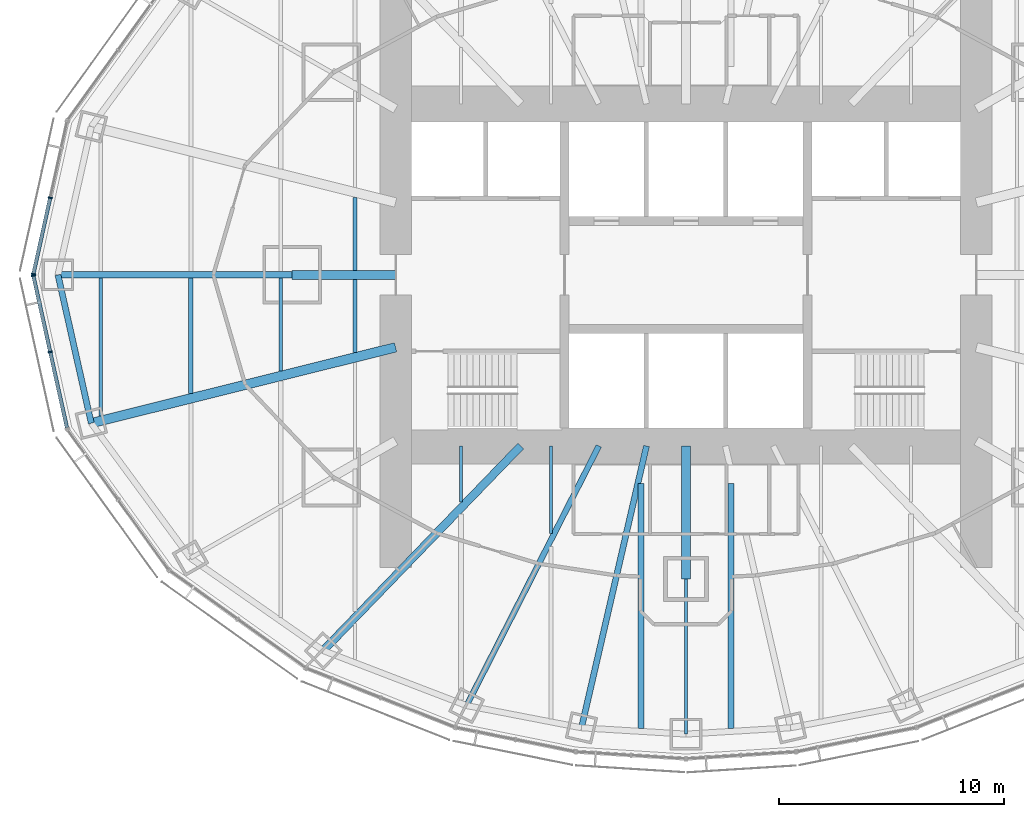
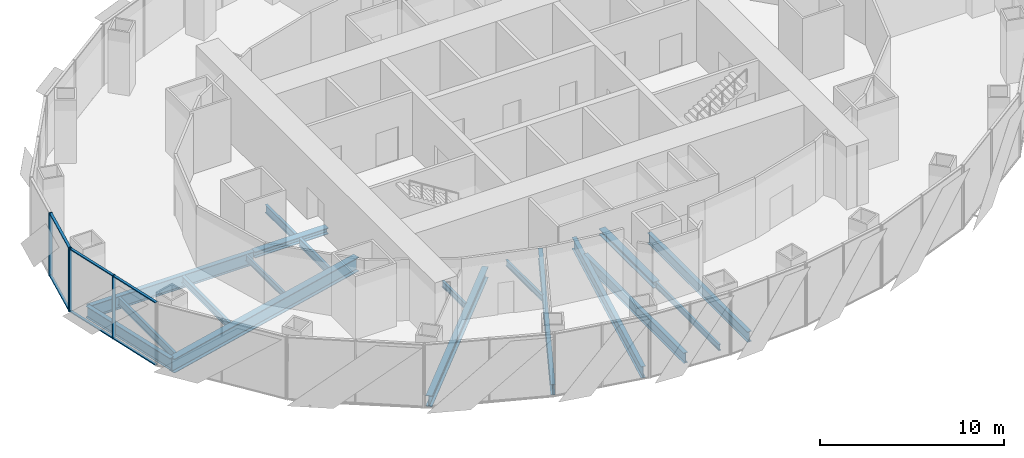
# One storey, part 3 of 18: 18 beams, 10 members, 2 elements without a shape of their own.
"""IFC4 building model written with IfcOpenShell, lengths in metres."""

from ifc_helpers import new_model, si_unit, direction, frame, origin, origin_2d, place, context, subcontext, project, spatial, rectangle, i_section, extrude, material, material_profile, profile_set, type_object, element, aggregate, save


model = new_model("IFC4")

# Units and contexts
model_context = context("Model", 3, precision=1e-05, world=origin(), true_north=direction((0.0, 1.0)))
body_context = subcontext(model_context, "Body", "Model", "MODEL_VIEW")
ifc_project = project(units=[si_unit("LENGTHUNIT", "METRE"), si_unit("AREAUNIT", "SQUARE_METRE"), si_unit("VOLUMEUNIT", "CUBIC_METRE"), si_unit("PLANEANGLEUNIT", "RADIAN"), si_unit("MASSUNIT", "GRAM", prefix="KILO")], contexts=[model_context])

# Site, building, storey
site_placement = place(None, origin())
site = spatial("IfcSite", under=ifc_project, at=site_placement, CompositionType="ELEMENT")
building_placement = place(site_placement, origin())
building = spatial("IfcBuilding", under=site, at=building_placement, Name="Lantaw Convention Tower", CompositionType="ELEMENT")
storey_placement = place(building_placement, frame((0.0, 0.0, 180.39990234375)))
storey = spatial("IfcBuildingStorey", under=building, at=storey_placement, Name="L42", CompositionType="ELEMENT", Elevation=180.39990234375)

# Beams
ifc_material_1 = material(Name="Steel ASTM A992", Category="steel")
ifc_material_profile_1 = material_profile(ifc_material_1, i_section(OverallWidth=0.2666015625, OverallDepth=0.76953125, WebThickness=0.015625, FlangeThickness=0.025390625, FilletRadius=0.0126953125, at=origin_2d()), Name="W30X132")
ifc_profile_set_1 = profile_set([ifc_material_profile_1], Name="Steel ASTM A992")
beam_type_1 = type_object("IfcBeamType", Name="Beam E W30X132", PredefinedType="SPANDREL", material=ifc_profile_set_1)
beam_1_placement = place(storey_placement, frame((-27.89990234375, 0.0, -0.53466796875), z_axis=(0.219211877447, -0.975677279015, 0.0), x_axis=(0.975677279015, 0.219211877447, 0.0)))
element("IfcBeam", 1, at=beam_1_placement, inside=storey, type_object=beam_type_1, Name="Edge beam 13", PredefinedType="SPANDREL", context=body_context, shape_type="SweptSolid", body=[
    extrude(i_section(OverallWidth=0.2666015625, OverallDepth=0.76953125, WebThickness=0.015625, FlangeThickness=0.025390625, FilletRadius=0.0126953125, at=origin_2d()), origin(), (0.0, 0.0, 1.0), 6.75146484375),
])
ifc_material_profile_2 = material_profile(ifc_material_1, i_section(OverallWidth=0.140380859375, OverallDepth=0.40380859375, WebThickness=0.007080078125, FlangeThickness=0.01123046875, FilletRadius=0.01025390625, at=origin_2d()), Name="W16X31")
ifc_profile_set_2 = profile_set([ifc_material_profile_2], Name="Steel ASTM A992")
beam_type_2 = type_object("IfcBeamType", Name="Beam G W16X31", PredefinedType="BEAM", material=ifc_profile_set_2)
beam_2_placement = place(storey_placement, frame((0.0, -13.5, -0.351806640625), z_axis=(0.0, -1.0, 0.0), x_axis=(1.0, 0.0, 0.0)))
element("IfcBeam", 2, at=beam_2_placement, inside=storey, type_object=beam_type_2, Name="Floor girder on ray 19", PredefinedType="BEAM", context=body_context, shape_type="SweptSolid", body=[
    extrude(i_section(OverallWidth=0.140380859375, OverallDepth=0.40380859375, WebThickness=0.007080078125, FlangeThickness=0.01123046875, FilletRadius=0.01025390625, at=origin_2d()), origin(), (0.0, 0.0, 1.0), 6.89990234375),
])
ifc_material_profile_3 = material_profile(ifc_material_1, i_section(OverallWidth=0.25390625, OverallDepth=0.700927734375, WebThickness=0.015380859375, FlangeThickness=0.02783203125, FilletRadius=0.01513671875, at=origin_2d()), Name="W27X129")
ifc_profile_set_3 = profile_set([ifc_material_profile_3], Name="Steel ASTM A992")
beam_type_3 = type_object("IfcBeamType", Name="Beam G W27X129", PredefinedType="BEAM", material=ifc_profile_set_3)
beam_3_placement = place(storey_placement, frame((-3.872314453125, -7.60009765625, -0.50048828125), z_axis=(-0.453991051051, -0.891006243281, 0.0), x_axis=(0.891006243281, -0.453991051051, 0.0)))
element("IfcBeam", 3, at=beam_3_placement, inside=storey, type_object=beam_type_3, Name="Floor girder on ray 17", PredefinedType="BEAM", context=body_context, shape_type="SweptSolid", body=[
    extrude(i_section(OverallWidth=0.25390625, OverallDepth=0.700927734375, WebThickness=0.015380859375, FlangeThickness=0.02783203125, FilletRadius=0.01513671875, at=origin_2d()), origin(), (0.0, 0.0, 1.0), 12.943359375),
])
ifc_material_profile_4 = material_profile(ifc_material_1, i_section(OverallWidth=0.360595703125, OverallDepth=0.72900390625, WebThickness=0.023193359375, FlangeThickness=0.041015625, FilletRadius=0.0126953125, at=origin_2d()), Name="W27X235")
ifc_profile_set_4 = profile_set([ifc_material_profile_4], Name="Steel ASTM A992")
beam_type_4 = type_object("IfcBeamType", Name="Beam G W27X235", PredefinedType="BEAM", material=ifc_profile_set_4)
beam_4_placement = place(storey_placement, frame((-7.33935546875, -7.60009765625, -0.514404296875), z_axis=(-0.694663467407, -0.719334878239, 0.0), x_axis=(0.719334878239, -0.694663467407, 0.0)))
element("IfcBeam", 4, at=beam_4_placement, inside=storey, type_object=beam_type_4, Name="Floor girder on ray 16", PredefinedType="BEAM", context=body_context, shape_type="SweptSolid", body=[
    extrude(i_section(OverallWidth=0.360595703125, OverallDepth=0.72900390625, WebThickness=0.023193359375, FlangeThickness=0.041015625, FilletRadius=0.0126953125, at=origin_2d()), origin(), (0.0, 0.0, 1.0), 12.63671875),
])
ifc_material_profile_5 = material_profile(ifc_material_1, i_section(OverallWidth=0.2666015625, OverallDepth=0.7568359375, WebThickness=0.013916015625, FlangeThickness=0.019287109375, FilletRadius=0.0126953125, at=origin_2d()), Name="W30X108")
ifc_profile_set_5 = profile_set([ifc_material_profile_5], Name="Steel ASTM A992")
beam_type_5 = type_object("IfcBeamType", Name="Beam G W30X108", PredefinedType="BEAM", material=ifc_profile_set_5)
beam_5_placement = place(storey_placement, frame((-1.754638671875, -7.60009765625, -0.5283203125), z_axis=(-0.224944153104, -0.974371658036, 0.0), x_axis=(0.974371658036, -0.224944153104, 0.0)))
element("IfcBeam", 5, at=beam_5_placement, inside=storey, type_object=beam_type_5, Name="Floor girder on ray 18", PredefinedType="BEAM", context=body_context, shape_type="SweptSolid", body=[
    extrude(i_section(OverallWidth=0.2666015625, OverallDepth=0.7568359375, WebThickness=0.013916015625, FlangeThickness=0.019287109375, FilletRadius=0.0126953125, at=origin_2d()), origin(), (0.0, 0.0, 1.0), 12.849365234375),
])
ifc_material_profile_6 = material_profile(ifc_material_1, i_section(OverallWidth=0.2919921875, OverallDepth=0.845703125, WebThickness=0.015380859375, FlangeThickness=0.0244140625, FilletRadius=0.01513671875, at=origin_2d()), Name="W33X141")
ifc_profile_set_6 = profile_set([ifc_material_profile_6], Name="Steel ASTM A992")
beam_type_6 = type_object("IfcBeamType", Name="Beam G W33X141", PredefinedType="BEAM", material=ifc_profile_set_6)
beam_6_placement = place(storey_placement, frame((-17.5, 0.0, -0.57275390625), z_axis=(-1.0, 0.0, 0.0), x_axis=(0.0, -1.0, 0.0)))
element("IfcBeam", 6, at=beam_6_placement, inside=storey, type_object=beam_type_6, Name="Floor girder on ray 13", PredefinedType="BEAM", context=body_context, shape_type="SweptSolid", body=[
    extrude(i_section(OverallWidth=0.2919921875, OverallDepth=0.845703125, WebThickness=0.015380859375, FlangeThickness=0.0244140625, FilletRadius=0.01513671875, at=origin_2d()), origin(), (0.0, 0.0, 1.0), 10.39990234375),
])
ifc_material_profile_7 = material_profile(ifc_material_1, i_section(OverallWidth=0.421630859375, OverallDepth=0.937255859375, WebThickness=0.0224609375, FlangeThickness=0.039794921875, FilletRadius=0.02001953125, at=origin_2d()), Name="W36X282")
ifc_profile_set_7 = profile_set([ifc_material_profile_7], Name="Steel ASTM A992")
beam_type_7 = type_object("IfcBeamType", Name="Beam G W36X282", PredefinedType="BEAM", material=ifc_profile_set_7)
beam_7_placement = place(storey_placement, frame((-12.89990234375, -3.21630859375, -0.61865234375), z_axis=(-0.970296903132, -0.24191717544, 0.0), x_axis=(0.24191717544, -0.970296903132, 0.0)))
element("IfcBeam", 7, at=beam_7_placement, inside=storey, type_object=beam_type_7, Name="Floor girder on ray 14", PredefinedType="BEAM", context=body_context, shape_type="SweptSolid", body=[
    extrude(i_section(OverallWidth=0.421630859375, OverallDepth=0.937255859375, WebThickness=0.0224609375, FlangeThickness=0.039794921875, FilletRadius=0.02001953125, at=origin_2d()), origin(), (0.0, 0.0, 1.0), 13.933837890625),
])
ifc_material_profile_8 = material_profile(ifc_material_1, i_section(OverallWidth=0.40380859375, OverallDepth=0.406494140625, WebThickness=0.027099609375, FlangeThickness=0.043701171875, FilletRadius=0.01513671875, at=origin_2d()), Name="W14X233")
ifc_profile_set_8 = profile_set([ifc_material_profile_8], Name="Steel ASTM A992")
beam_type_8 = type_object("IfcBeamType", Name="Beam GM W14X233", PredefinedType="BEAM", material=ifc_profile_set_8)
beam_8_placement = place(storey_placement, frame((-12.89990234375, 0.0, -0.35302734375), z_axis=(-1.0, 0.0, 0.0), x_axis=(0.0, -1.0, 0.0)))
element("IfcBeam", 8, at=beam_8_placement, inside=storey, type_object=beam_type_8, Name="Core link beam on ray 13", PredefinedType="BEAM", context=body_context, shape_type="SweptSolid", body=[
    extrude(i_section(OverallWidth=0.40380859375, OverallDepth=0.406494140625, WebThickness=0.027099609375, FlangeThickness=0.043701171875, FilletRadius=0.01513671875, at=origin_2d()), origin(), (0.0, 0.0, 1.0), 4.60009765625),
])
beam_9_placement = place(storey_placement, frame((0.0, -7.60009765625, -0.35302734375), z_axis=(0.0, -1.0, 0.0), x_axis=(1.0, 0.0, 0.0)))
element("IfcBeam", 9, at=beam_9_placement, inside=storey, type_object=beam_type_8, Name="Core link beam on ray 19", PredefinedType="BEAM", context=body_context, shape_type="SweptSolid", body=[
    extrude(i_section(OverallWidth=0.40380859375, OverallDepth=0.406494140625, WebThickness=0.027099609375, FlangeThickness=0.043701171875, FilletRadius=0.01513671875, at=origin_2d()), origin(), (0.0, 0.0, 1.0), 5.89990234375),
])
ifc_material_profile_9 = material_profile(ifc_material_1, i_section(OverallWidth=0.140380859375, OverallDepth=0.40380859375, WebThickness=0.007080078125, FlangeThickness=0.01123046875, FilletRadius=0.01025390625, at=origin_2d()), Name="W16X31")
ifc_profile_set_9 = profile_set([ifc_material_profile_9], Name="Steel ASTM A992")
beam_type_9 = type_object("IfcBeamType", Name="Beam J W16X31", PredefinedType="JOIST", material=ifc_profile_set_9)
beam_10_placement = place(storey_placement, frame((-18.0, -4.270751953125, -0.351806640625), z_axis=(0.0, 1.0, 0.0), x_axis=(-1.0, 0.0, 0.0)))
element("IfcBeam", 10, at=beam_10_placement, inside=storey, type_object=beam_type_9, Name="Floor joist", PredefinedType="JOIST", context=body_context, shape_type="SweptSolid", body=[
    extrude(i_section(OverallWidth=0.140380859375, OverallDepth=0.40380859375, WebThickness=0.007080078125, FlangeThickness=0.01123046875, FilletRadius=0.01025390625, at=origin_2d()), origin(), (0.0, 0.0, 1.0), 4.124755859375),
])
beam_11_placement = place(storey_placement, frame((-10.0, -10.095703125, -0.351806640625), z_axis=(0.0, 1.0, 0.0), x_axis=(-1.0, 0.0, 0.0)))
element("IfcBeam", 11, at=beam_11_placement, inside=storey, type_object=beam_type_9, Name="Floor joist", PredefinedType="JOIST", context=body_context, shape_type="SweptSolid", body=[
    extrude(i_section(OverallWidth=0.140380859375, OverallDepth=0.40380859375, WebThickness=0.007080078125, FlangeThickness=0.01123046875, FilletRadius=0.01025390625, at=origin_2d()), origin(), (0.0, 0.0, 1.0), 2.49560546875),
])
beam_12_placement = place(storey_placement, frame((-6.0, -11.495849609375, -0.351806640625), z_axis=(0.0, 1.0, 0.0), x_axis=(-1.0, 0.0, 0.0)))
element("IfcBeam", 12, at=beam_12_placement, inside=storey, type_object=beam_type_9, Name="Floor joist", PredefinedType="JOIST", context=body_context, shape_type="SweptSolid", body=[
    extrude(i_section(OverallWidth=0.140380859375, OverallDepth=0.40380859375, WebThickness=0.007080078125, FlangeThickness=0.01123046875, FilletRadius=0.01025390625, at=origin_2d()), origin(), (0.0, 0.0, 1.0), 3.895751953125),
])
ifc_material_profile_10 = material_profile(ifc_material_1, i_section(OverallWidth=0.1904296875, OverallDepth=0.457275390625, WebThickness=0.009033203125, FlangeThickness=0.014404296875, FilletRadius=0.01025390625, at=origin_2d()), Name="W18X50")
ifc_profile_set_10 = profile_set([ifc_material_profile_10], Name="Steel ASTM A992")
beam_type_10 = type_object("IfcBeamType", Name="Beam J W18X50", PredefinedType="JOIST", material=ifc_profile_set_10)
beam_13_placement = place(storey_placement, frame((-22.0, -5.267822265625, -0.37841796875), z_axis=(0.0, 1.0, 0.0), x_axis=(-1.0, 0.0, 0.0)))
element("IfcBeam", 13, at=beam_13_placement, inside=storey, type_object=beam_type_10, Name="Floor joist", PredefinedType="JOIST", context=body_context, shape_type="SweptSolid", body=[
    extrude(i_section(OverallWidth=0.1904296875, OverallDepth=0.457275390625, WebThickness=0.009033203125, FlangeThickness=0.014404296875, FilletRadius=0.01025390625, at=origin_2d()), origin(), (0.0, 0.0, 1.0), 5.121826171875),
])
ifc_material_profile_11 = material_profile(ifc_material_1, i_section(OverallWidth=0.1650390625, OverallDepth=0.52587890625, WebThickness=0.0087890625, FlangeThickness=0.011474609375, FilletRadius=0.0126953125, at=origin_2d()), Name="W21X44")
ifc_profile_set_11 = profile_set([ifc_material_profile_11], Name="Steel ASTM A992")
beam_type_11 = type_object("IfcBeamType", Name="Beam J W21X44", PredefinedType="JOIST", material=ifc_profile_set_11)
beam_14_placement = place(storey_placement, frame((-26.0, -6.26513671875, -0.412841796875), z_axis=(0.0, 1.0, 0.0), x_axis=(-1.0, 0.0, 0.0)))
element("IfcBeam", 14, at=beam_14_placement, inside=storey, type_object=beam_type_11, Name="Floor joist", PredefinedType="JOIST", context=body_context, shape_type="SweptSolid", body=[
    extrude(i_section(OverallWidth=0.1650390625, OverallDepth=0.52587890625, WebThickness=0.0087890625, FlangeThickness=0.011474609375, FilletRadius=0.0126953125, at=origin_2d()), origin(), (0.0, 0.0, 1.0), 6.119140625),
])
ifc_material_profile_12 = material_profile(ifc_material_1, i_section(OverallWidth=0.165771484375, OverallDepth=0.5283203125, WebThickness=0.009765625, FlangeThickness=0.013671875, FilletRadius=0.012939453125, at=origin_2d()), Name="W21X50")
ifc_profile_set_12 = profile_set([ifc_material_profile_12], Name="Steel ASTM A992")
beam_type_12 = type_object("IfcBeamType", Name="Beam J W21X50", PredefinedType="JOIST", material=ifc_profile_set_12)
for number, where, z_axis, x_axis, name in (
    (15, (-14.699951171875, -3.44775390625, -0.4140625), (0.0, 1.0, 0.0), (-1.0, 0.0, 0.0), "Floor joist"),
    (16, (-14.699951171875, 0.201904296875, -0.4140625), (0.0, 1.0, 0.0), (-1.0, 0.0, 0.0), "Floor joist"),
):
    element("IfcBeam", number, at=place(storey_placement, frame(where, z_axis=z_axis, x_axis=x_axis)), inside=storey, type_object=beam_type_12, Name=name, PredefinedType="JOIST", context=body_context, shape_type="SweptSolid", body=[
        extrude(i_section(OverallWidth=0.165771484375, OverallDepth=0.5283203125, WebThickness=0.009765625, FlangeThickness=0.013671875, FilletRadius=0.012939453125, at=origin_2d()), origin(), (0.0, 0.0, 1.0), 3.245849609375),
    ])
ifc_material_profile_13 = material_profile(ifc_material_1, i_section(OverallWidth=0.25390625, OverallDepth=0.683349609375, WebThickness=0.012451171875, FlangeThickness=0.01904296875, FilletRadius=0.01513671875, at=origin_2d()), Name="W27X94")
ifc_profile_set_13 = profile_set([ifc_material_profile_13], Name="Steel ASTM A992")
beam_type_13 = type_object("IfcBeamType", Name="Beam J W27X94", PredefinedType="JOIST", material=ifc_profile_set_13)
for number, where, z_axis, x_axis, name in (
    (17, (-2.0, -20.145751953125, -0.491455078125), (0.0, 1.0, 0.0), (-1.0, 0.0, 0.0), "Floor joist"),
    (18, (2.0, -20.145751953125, -0.491455078125), (0.0, 1.0, 0.0), (-1.0, 0.0, 0.0), "Floor joist"),
):
    element("IfcBeam", number, at=place(storey_placement, frame(where, z_axis=z_axis, x_axis=x_axis)), inside=storey, type_object=beam_type_13, Name=name, PredefinedType="JOIST", context=body_context, shape_type="SweptSolid", body=[
        extrude(i_section(OverallWidth=0.25390625, OverallDepth=0.683349609375, WebThickness=0.012451171875, FlangeThickness=0.01904296875, FilletRadius=0.01513671875, at=origin_2d()), origin(), (0.0, 0.0, 1.0), 10.889892578125),
    ])

# Curtain wall, members
ifc_material_2 = material(Name="Aluminium framed curtain wall", Category="aluminium")
curtain_wall_type = type_object("IfcCurtainWallType", Name="Office curtain wall low rise, pale aluminium", PredefinedType="USERDEFINED", material=ifc_material_2)
curtain_wall_1_placement = place(storey_placement, origin())
curtain_wall_1 = element("IfcCurtainWall", 19, at=curtain_wall_1_placement, inside=storey, type_object=curtain_wall_type, Name="Office curtain wall low rise, pale aluminium L42", ObjectType="UNITISED CURTAIN WALL", PredefinedType="USERDEFINED")
ifc_material_3 = material(Name="Aluminium 6063-T6", Category="aluminium")
ifc_material_profile_14 = material_profile(ifc_material_3, rectangle(XDim=0.199951171875, YDim=0.06494140625, at=origin_2d()), Name="CW-O1 mullion 65x200")
ifc_profile_set_14 = profile_set([ifc_material_profile_14], Name="Aluminium 6063-T6")
member_type_1 = type_object("IfcMemberType", Name="CW-O1 mullion 65x200", PredefinedType="MULLION", material=ifc_profile_set_14)
member_1_placement = place(storey_placement, frame((-28.24365234375, 3.4267578125, -0.14990234375), z_axis=(0.0, 0.0, 1.0), x_axis=(0.9764936509, -0.215546166174, 0.0)))
member_1 = element("IfcMember", 20, at=member_1_placement, type_object=member_type_1, Name="CW-O1 mullion 2", PredefinedType="MULLION", context=body_context, shape_type="SweptSolid", body=[
    extrude(rectangle(XDim=0.199951171875, YDim=0.06494140625, at=origin_2d()), origin(), (0.0, 0.0, 1.0), 4.199951171875),
])
member_2_placement = place(storey_placement, frame((-28.992919921875, 0.03173828125, -0.14990234375), z_axis=(0.0, 0.0, 1.0), x_axis=(0.9764936509, -0.215546166174, 0.0)))
member_2 = element("IfcMember", 21, at=member_2_placement, type_object=member_type_1, Name="CW-O1 mullion 3", PredefinedType="MULLION", context=body_context, shape_type="SweptSolid", body=[
    extrude(rectangle(XDim=0.199951171875, YDim=0.06494140625, at=origin_2d()), origin(), (0.0, 0.0, 1.0), 4.199951171875),
])

curtain_wall_2_placement = place(storey_placement, origin())
curtain_wall_2 = element("IfcCurtainWall", 22, at=curtain_wall_2_placement, inside=storey, type_object=curtain_wall_type, Name="Office curtain wall low rise, pale aluminium L42", ObjectType="UNITISED CURTAIN WALL", PredefinedType="USERDEFINED")
member_3_placement = place(storey_placement, frame((-28.992919921875, -0.03173828125, -0.14990234375), z_axis=(0.0, 0.0, 1.0), x_axis=(0.9764936509, 0.215546166174, 0.0)))
member_3 = element("IfcMember", 23, at=member_3_placement, type_object=member_type_1, Name="CW-O1 mullion 1", PredefinedType="MULLION", context=body_context, shape_type="SweptSolid", body=[
    extrude(rectangle(XDim=0.199951171875, YDim=0.06494140625, at=origin_2d()), origin(), (0.0, 0.0, 1.0), 4.199951171875),
])
member_4_placement = place(storey_placement, frame((-28.24365234375, -3.4267578125, -0.14990234375), z_axis=(0.0, 0.0, 1.0), x_axis=(0.9764936509, 0.215546166174, 0.0)))
member_4 = element("IfcMember", 24, at=member_4_placement, type_object=member_type_1, Name="CW-O1 mullion 2", PredefinedType="MULLION", context=body_context, shape_type="SweptSolid", body=[
    extrude(rectangle(XDim=0.199951171875, YDim=0.06494140625, at=origin_2d()), origin(), (0.0, 0.0, 1.0), 4.199951171875),
])

# Member
ifc_material_profile_15 = material_profile(ifc_material_3, rectangle(XDim=0.159912109375, YDim=0.06494140625, at=origin_2d()), Name="CW-O1 transom 65x160")
ifc_profile_set_15 = profile_set([ifc_material_profile_15], Name="Aluminium 6063-T6")
member_type_2 = type_object("IfcMemberType", Name="CW-O1 transom 65x160", PredefinedType="USERDEFINED", material=ifc_profile_set_15)
member_5_placement = place(storey_placement, frame((-28.250732421875, 3.39501953125, -0.117431640625), z_axis=(-0.215536096386, -0.976495873598, 0.0), x_axis=(0.976495873598, -0.215536096386, 0.0)))
member_5 = element("IfcMember", 25, at=member_5_placement, type_object=member_type_2, Name="CW-O1 transom 2.1", ObjectType="TRANSOM", PredefinedType="USERDEFINED", context=body_context, shape_type="SweptSolid", body=[
    extrude(rectangle(XDim=0.159912109375, YDim=0.06494140625, at=origin_2d()), origin(), (0.0, 0.0, 1.0), 3.41162109375),
])

member_6_placement = place(storey_placement, frame((-28.250732421875, 3.39501953125, 4.017578125), z_axis=(-0.215536096386, -0.976495873598, 0.0), x_axis=(0.976495873598, -0.215536096386, 0.0)))
member_6 = element("IfcMember", 26, at=member_6_placement, type_object=member_type_2, Name="CW-O1 transom 2.2", ObjectType="TRANSOM", PredefinedType="USERDEFINED", context=body_context, shape_type="SweptSolid", body=[
    extrude(rectangle(XDim=0.159912109375, YDim=0.06494140625, at=origin_2d()), origin(), (0.0, 0.0, 1.0), 3.41162109375),
])

aggregate(curtain_wall_1, [member_1, member_2, member_5, member_6])

member_7_placement = place(storey_placement, frame((-28.986083984375, -0.0634765625, -0.117431640625), z_axis=(0.215536096386, -0.976495873598, 0.0), x_axis=(0.976495873598, 0.215536096386, 0.0)))
member_7 = element("IfcMember", 27, at=member_7_placement, type_object=member_type_2, Name="CW-O1 transom 1.1", ObjectType="TRANSOM", PredefinedType="USERDEFINED", context=body_context, shape_type="SweptSolid", body=[
    extrude(rectangle(XDim=0.159912109375, YDim=0.06494140625, at=origin_2d()), origin(), (0.0, 0.0, 1.0), 3.41162109375),
])

member_8_placement = place(storey_placement, frame((-28.986083984375, -0.0634765625, 4.017578125), z_axis=(0.215536096386, -0.976495873598, 0.0), x_axis=(0.976495873598, 0.215536096386, 0.0)))
member_8 = element("IfcMember", 28, at=member_8_placement, type_object=member_type_2, Name="CW-O1 transom 1.2", ObjectType="TRANSOM", PredefinedType="USERDEFINED", context=body_context, shape_type="SweptSolid", body=[
    extrude(rectangle(XDim=0.159912109375, YDim=0.06494140625, at=origin_2d()), origin(), (0.0, 0.0, 1.0), 3.41162109375),
])

member_9_placement = place(storey_placement, frame((-28.236572265625, -3.45849609375, -0.117431640625), z_axis=(0.21555115847, -0.976492548913, 0.0), x_axis=(0.976492548913, 0.21555115847, 0.0)))
member_9 = element("IfcMember", 29, at=member_9_placement, type_object=member_type_2, Name="CW-O1 transom 2.1", ObjectType="TRANSOM", PredefinedType="USERDEFINED", context=body_context, shape_type="SweptSolid", body=[
    extrude(rectangle(XDim=0.159912109375, YDim=0.06494140625, at=origin_2d()), origin(), (0.0, 0.0, 1.0), 3.411376953125),
])

member_10_placement = place(storey_placement, frame((-28.236572265625, -3.45849609375, 4.017578125), z_axis=(0.21555115847, -0.976492548913, 0.0), x_axis=(0.976492548913, 0.21555115847, 0.0)))
member_10 = element("IfcMember", 30, at=member_10_placement, type_object=member_type_2, Name="CW-O1 transom 2.2", ObjectType="TRANSOM", PredefinedType="USERDEFINED", context=body_context, shape_type="SweptSolid", body=[
    extrude(rectangle(XDim=0.159912109375, YDim=0.06494140625, at=origin_2d()), origin(), (0.0, 0.0, 1.0), 3.411376953125),
])

aggregate(curtain_wall_2, [member_3, member_4, member_7, member_8, member_9, member_10])

save(model, "model.ifc")
